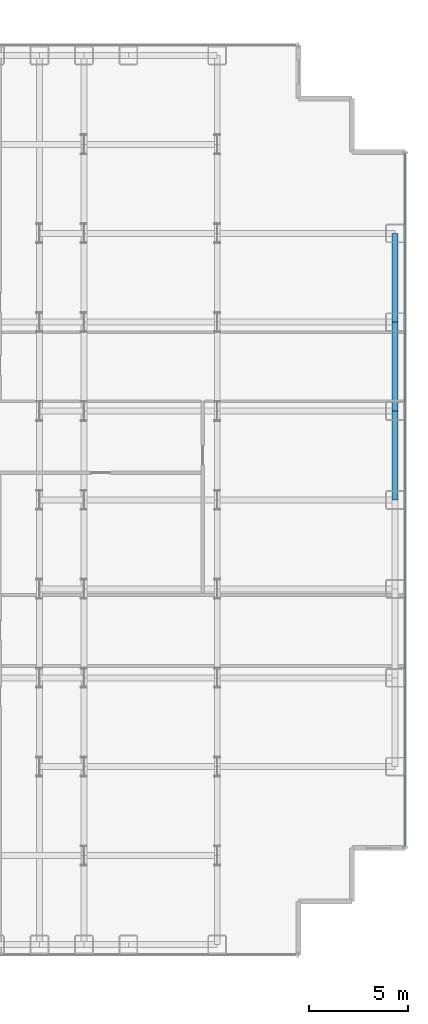
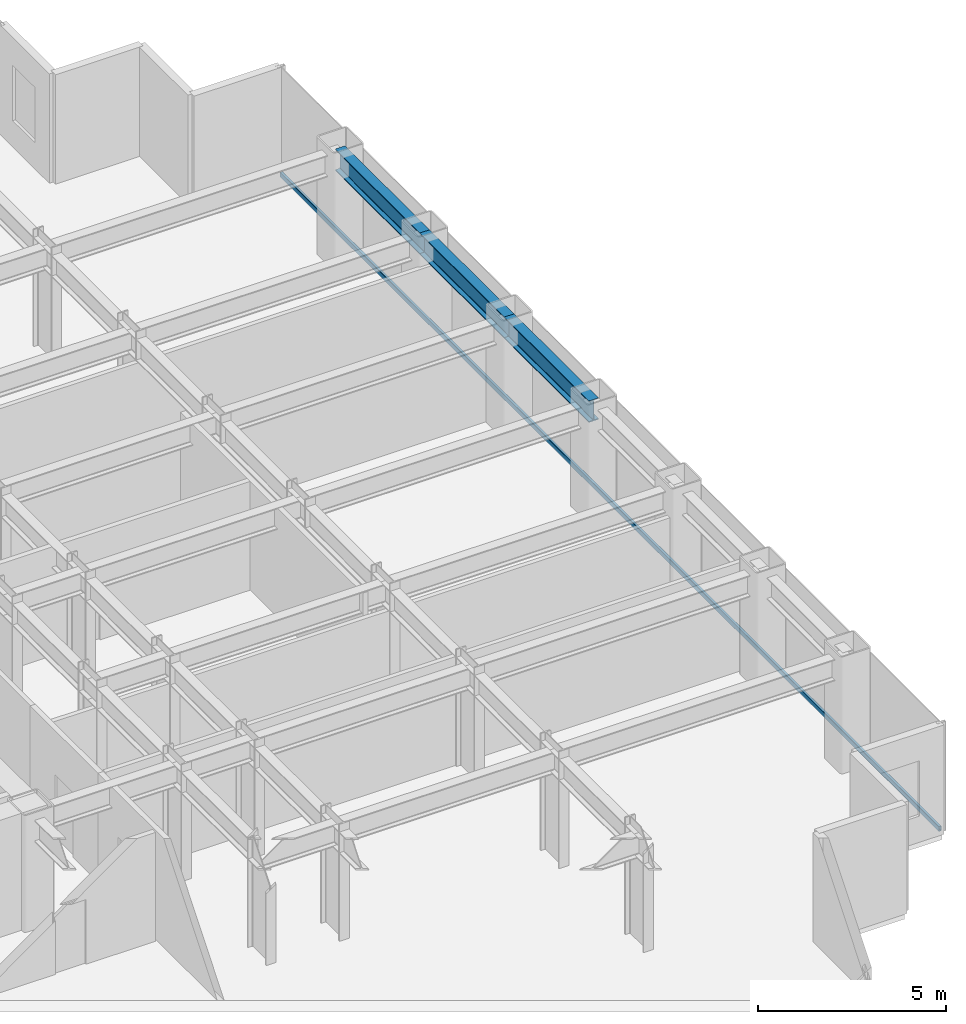
# One storey, part 17 of 26: 3 beams, 1 member, 1 element without a shape of its own.
"""IFC4 building model written with IfcOpenShell, lengths in metres."""

import ifcopenshell
import ifcopenshell.guid

model = None  # the IFC model being written
_history = None  # IfcOwnerHistory: only IFC2X3 demands one
_inside = {}  # id of a spatial element -> (the spatial element, [elements in it])
_under = {}  # id of a project, library or spatial element -> (it, [spatial elements below it])
_declared = {}  # id of a project -> (the project, [libraries it declares])
_typed = {}  # id of a type object -> (the type object, [elements of that type])
_made_of = {}  # id of a material, layer set ... -> (it, [elements and type objects made of it])


def new_model(schema):
    """Start an empty IFC model of exactly this schema.

    Asked for "IFC4X3", IfcOpenShell would pick the latest addendum, in which some entities
    have other attributes; the version numbers below select the first issue.
    IFC2X3 requires an IfcOwnerHistory on every rooted entity: one is made here for all.
    """
    global model, _history
    if schema == "IFC4X3":
        model = ifcopenshell.file(schema_version=(4, 3, 0, 0))
    else:
        model = ifcopenshell.file(schema=schema)
    _inside.clear()
    _under.clear()
    _declared.clear()
    _typed.clear()
    _made_of.clear()
    _history = None
    if model.schema == "IFC2X3":
        org = make("IfcOrganization", Name="unknown")
        user = make(
            "IfcPersonAndOrganization",
            ThePerson=make("IfcPerson", FamilyName="unknown"),
            TheOrganization=org,
        )
        app = make(
            "IfcApplication",
            ApplicationDeveloper=org,
            Version="unknown",
            ApplicationFullName="unknown",
            ApplicationIdentifier="unknown",
        )
        _history = make(
            "IfcOwnerHistory",
            OwningUser=user,
            OwningApplication=app,
            ChangeAction="ADDED",
            CreationDate=0,
        )
    return model


def make(cls, **values):
    """One entity of the class cls with the attributes given. An attribute that is None is left unset."""
    return model.create_entity(
        cls, **{name: value for name, value in values.items() if value is not None}
    )


def rooted(cls, **values):
    """An entity with a GlobalId (a new one), such as an element, a storey or a relation."""
    return make(cls, GlobalId=ifcopenshell.guid.new(), OwnerHistory=_history, **values)


def si_unit(unit_type, name, prefix=None):
    """IfcSIUnit, for example si_unit("LENGTHUNIT", "METRE", prefix="MILLI")."""
    return make("IfcSIUnit", UnitType=unit_type, Prefix=prefix, Name=name)


def assignment(units):
    """IfcUnitAssignment: the units of a project."""
    return None if units is None else make("IfcUnitAssignment", Units=units)


def point(xyz):
    """IfcCartesianPoint."""
    return None if xyz is None else make("IfcCartesianPoint", Coordinates=xyz)


def direction(xyz):
    """IfcDirection."""
    return None if xyz is None else make("IfcDirection", DirectionRatios=xyz)


def frame(location, z_axis=None, x_axis=None):
    """IfcAxis2Placement3D, a coordinate frame: its origin and axes. An axis left out is left unset."""
    return make(
        "IfcAxis2Placement3D",
        Location=point(location),
        Axis=direction(z_axis),
        RefDirection=direction(x_axis),
    )


def frame_2d(location, x_axis=None):
    """IfcAxis2Placement2D, a coordinate frame in the plane: its origin and x axis."""
    return make(
        "IfcAxis2Placement2D", Location=point(location), RefDirection=direction(x_axis)
    )


def origin():
    """The frame at (0, 0, 0) with its axes left unset."""
    return frame((0.0, 0.0, 0.0))


def origin_2d():
    """The frame at (0, 0) in the plane with its x axis left unset."""
    return frame_2d((0.0, 0.0))


def place(relative_to, where):
    """IfcLocalPlacement: puts the frame where relative to a parent placement (None: the world)."""
    return make(
        "IfcLocalPlacement", PlacementRelTo=relative_to, RelativePlacement=where
    )


def context(
    kind, dimensions, precision=None, world=None, true_north=None, identifier=None
):
    """IfcGeometricRepresentationContext, for example the 3D "Model" context."""
    return make(
        "IfcGeometricRepresentationContext",
        ContextIdentifier=identifier,
        ContextType=kind,
        CoordinateSpaceDimension=dimensions,
        Precision=precision,
        WorldCoordinateSystem=world,
        TrueNorth=true_north,
    )


def subcontext(parent, identifier, kind, view, scale=None):
    """IfcGeometricRepresentationSubContext, for example "Body" below "Model"."""
    return make(
        "IfcGeometricRepresentationSubContext",
        ContextIdentifier=identifier,
        ContextType=kind,
        ParentContext=parent,
        TargetScale=scale,
        TargetView=view,
    )


def project(units=None, contexts=None):
    """IfcProject with its units and contexts."""
    return rooted(
        "IfcProject",
        Name="project",
        RepresentationContexts=contexts,
        UnitsInContext=assignment(units),
    )


def spatial(cls, under=None, at=None, **own):
    """A site, building, storey or space (cls), placed at a placement, below another one or the project."""
    s = rooted(cls, ObjectPlacement=at, **own)
    if under is not None:
        _under.setdefault(under.id(), (under, []))[1].append(s)
    return s


def profile(cls, at=None, kind="AREA", **sizes):
    """A parametric profile (cls). Its sizes go by their IFC names, for example OverallWidth=200.0."""
    return make(cls, ProfileType=kind, Position=at, **sizes)


def hollow_rectangle(**sizes):
    """IfcRectangleHollowProfileDef."""
    return profile("IfcRectangleHollowProfileDef", **sizes)


def i_section(**sizes):
    """IfcIShapeProfileDef."""
    return profile("IfcIShapeProfileDef", **sizes)


def extrude(swept, where, along, depth):
    """IfcExtrudedAreaSolid: the profile swept, set in the frame where, extruded along a direction by depth."""
    return make(
        "IfcExtrudedAreaSolid",
        SweptArea=swept,
        Position=where,
        ExtrudedDirection=direction(along),
        Depth=depth,
    )


def shape(context_of_items, identifier, shape_type, items):
    """IfcShapeRepresentation: the items that make up one representation, for example the "Body"."""
    return make(
        "IfcShapeRepresentation",
        ContextOfItems=context_of_items,
        RepresentationIdentifier=identifier,
        RepresentationType=shape_type,
        Items=items,
    )


def source(mapping_origin, context_of_items, identifier, shape_type, items):
    """IfcRepresentationMap: a shape defined once, which mapped items show again and again."""
    return make(
        "IfcRepresentationMap",
        MappingOrigin=mapping_origin,
        MappedRepresentation=shape(context_of_items, identifier, shape_type, items),
    )


def transform(
    local_origin,
    x_axis=None,
    y_axis=None,
    z_axis=None,
    scale=None,
    scale2=None,
    scale3=None,
    uniform=True,
):
    """IfcCartesianTransformationOperator3D, or its non-uniform kind. x_axis, y_axis, z_axis: its Axis1, 2, 3."""
    if uniform:
        return make(
            "IfcCartesianTransformationOperator3D",
            Axis1=direction(x_axis),
            Axis2=direction(y_axis),
            LocalOrigin=point(local_origin),
            Scale=scale,
            Axis3=direction(z_axis),
        )
    return make(
        "IfcCartesianTransformationOperator3DnonUniform",
        Axis1=direction(x_axis),
        Axis2=direction(y_axis),
        LocalOrigin=point(local_origin),
        Scale=scale,
        Axis3=direction(z_axis),
        Scale2=scale2,
        Scale3=scale3,
    )


def mapped(mapping_source, mapping_target):
    """IfcMappedItem: shows the shape of a source again, moved by a transform."""
    return make(
        "IfcMappedItem", MappingSource=mapping_source, MappingTarget=mapping_target
    )


def material(Name=None, Category=None):
    """IfcMaterial."""
    return make("IfcMaterial", Name=Name, Category=Category)


def layer(
    of_material, thickness, ventilated=None, Name=None, Category=None, Priority=None
):
    """IfcMaterialLayer: one layer of a wall or slab, of a material (None: an air gap)."""
    return make(
        "IfcMaterialLayer",
        Material=of_material,
        LayerThickness=thickness,
        IsVentilated=ventilated,
        Name=Name,
        Category=Category,
        Priority=Priority,
    )


def layer_set(layers, Name=None):
    """IfcMaterialLayerSet."""
    return make("IfcMaterialLayerSet", MaterialLayers=layers, LayerSetName=Name)


def material_profile(
    of_material, cross_section, Name=None, Category=None, Priority=None
):
    """IfcMaterialProfile: a cross section and its material."""
    return make(
        "IfcMaterialProfile",
        Name=Name,
        Material=of_material,
        Profile=cross_section,
        Priority=Priority,
        Category=Category,
    )


def profile_set(profiles, Name=None, composite=None):
    """IfcMaterialProfileSet."""
    return make(
        "IfcMaterialProfileSet",
        Name=Name,
        MaterialProfiles=profiles,
        CompositeProfile=composite,
    )


def made_of(thing, what):
    """Note that an element or type object is made of a material, layer set ...; save() writes the relation."""
    if what is not None:
        _made_of.setdefault(what.id(), (what, []))[1].append(thing)
    return thing


def type_object(cls, material=None, **own):
    """A type object (cls), such as IfcWallType, which elements share."""
    return made_of(rooted(cls, **own), material)


def element(
    cls,
    number,
    at=None,
    inside=None,
    cuts=None,
    type_object=None,
    material=None,
    context=None,
    identifier="Body",
    shape_type=None,
    held_by="IfcProductDefinitionShape",
    body=None,
    shapes=None,
    **own,
):
    """One element of the class cls, such as IfcWall. Its Tag is "e" and its number.

    at: its placement. inside: the storey or other place that contains it. cuts: it is an
    opening in that element (IfcRelVoidsElement). A single representation is given by context,
    identifier, shape_type and body (its items); several are given by shapes. held_by: the class
    of the entity that holds the representations. save() writes the other relations.
    """
    e = rooted(cls, Tag="e%d" % number, ObjectPlacement=at, **own)
    if body is not None:
        shapes = [shape(context, identifier, shape_type, body)]
    if shapes is not None:
        e.Representation = make(held_by, Representations=shapes)
    if inside is not None:
        _inside.setdefault(inside.id(), (inside, []))[1].append(e)
    if cuts is not None:
        rooted(
            "IfcRelVoidsElement", RelatingBuildingElement=cuts, RelatedOpeningElement=e
        )
    if type_object is not None:
        _typed.setdefault(type_object.id(), (type_object, []))[1].append(e)
    return made_of(e, material)


def aggregate(whole, parts):
    """IfcRelAggregates: a whole, such as a stair, and the parts it consists of."""
    return rooted("IfcRelAggregates", RelatingObject=whole, RelatedObjects=parts)


def save(model, path):
    """Write the relations noted so far, then the file.

    IfcRelAggregates (storeys below a building ...), IfcRelContainedInSpatialStructure (elements
    in a storey), IfcRelDefinesByType, IfcRelAssociatesMaterial and IfcRelDeclares: one each for
    every whole, place, type object, material and project.
    """
    for whole, parts in _under.values():
        aggregate(whole, parts)
    for where, things in _inside.values():
        rooted(
            "IfcRelContainedInSpatialStructure",
            RelatedElements=things,
            RelatingStructure=where,
        )
    for kind, things in _typed.values():
        rooted("IfcRelDefinesByType", RelatedObjects=things, RelatingType=kind)
    for what, things in _made_of.values():
        rooted("IfcRelAssociatesMaterial", RelatedObjects=things, RelatingMaterial=what)
    for by, libraries in _declared.values():
        rooted("IfcRelDeclares", RelatingContext=by, RelatedDefinitions=libraries)
    model.write(path)


model = new_model("IFC4")

# Units and contexts
model_context = context("Model", 3, precision=1e-05, world=origin(), true_north=direction((0.0, 1.0)))
body_context = subcontext(model_context, "Body", "Model", "MODEL_VIEW")
ifc_project = project(units=[si_unit("LENGTHUNIT", "METRE"), si_unit("AREAUNIT", "SQUARE_METRE"), si_unit("VOLUMEUNIT", "CUBIC_METRE"), si_unit("PLANEANGLEUNIT", "RADIAN"), si_unit("MASSUNIT", "GRAM", prefix="KILO")], contexts=[model_context])

# Site, building, storey
site_placement = place(None, origin())
site = spatial("IfcSite", under=ifc_project, at=site_placement, CompositionType="ELEMENT")
building_placement = place(site_placement, origin())
building = spatial("IfcBuilding", under=site, at=building_placement, Name="Nefas-Gora Pilgrimage Tower", CompositionType="ELEMENT")
storey_placement = place(building_placement, frame((0.0, 0.0, 36.800048828125)))
storey = spatial("IfcBuildingStorey", under=building, at=storey_placement, Name="L07", CompositionType="ELEMENT", Elevation=36.800048828125)

# Beams
ifc_material_1 = material(Name="Steel S355", Category="steel")
ifc_material_profile_1 = material_profile(ifc_material_1, i_section(OverallWidth=0.300048828125, OverallDepth=0.699951171875, WebThickness=0.01708984375, FlangeThickness=0.031982421875, FilletRadius=0.027099609375, at=origin_2d()), Name="HEB 700")
ifc_profile_set_1 = profile_set([ifc_material_profile_1], Name="Steel S355")
beam_type = type_object("IfcBeamType", Name="BM-SPN-HEB600", PredefinedType="SPANDREL", material=ifc_profile_set_1)
shared_shape_1 = source(origin(), body_context, "Body", "SweptSolid", [
    extrude(i_section(OverallWidth=0.300048828125, OverallDepth=0.699951171875, WebThickness=0.01708984375, FlangeThickness=0.031982421875, FilletRadius=0.027099609375, at=origin_2d()), origin(), (0.0, 0.0, 1.0), 4.5),
])
for number, where, z_axis, x_axis, name in (
    (1, (33.75, 0.0, 3.199951171875), (0.0, 1.0, 0.0), (-1.0, 0.0, 0.0), "L07 SP-01 beam"),
    (2, (33.75, 4.5, 3.199951171875), (0.0, 1.0, 0.0), (-1.0, 0.0, 0.0), "L07 SP-01 beam"),
    (3, (33.75, 9.0, 3.199951171875), (0.0, 1.0, 0.0), (-1.0, 0.0, 0.0), "L07 SP-01 beam"),
):
    element("IfcBeam", number, at=place(storey_placement, frame(where, z_axis=z_axis, x_axis=x_axis)), inside=storey, type_object=beam_type, Name=name, PredefinedType="SPANDREL", context=body_context, shape_type="MappedRepresentation", body=[
        mapped(shared_shape_1, transform((0.0, 0.0, 0.0), x_axis=(1.0, 0.0, 0.0), y_axis=(0.0, 1.0, 0.0), z_axis=(0.0, 0.0, 1.0), scale=1.0)),
    ])

# Curtain wall, member
ifc_material_2 = material(Name="Dark ceramic-fritted solar-control aluminium-glass curtain wall", Category="aluminium")
ifc_layer = layer(ifc_material_2, 0.219970703125)
ifc_layer_set = layer_set([ifc_layer], Name="Dark ceramic-fritted solar-control aluminium-glass curtain wall")
curtain_wall_type = type_object("IfcCurtainWallType", Name="CW-SYS-2", PredefinedType="NOTDEFINED", material=ifc_layer_set)
curtain_wall_placement = place(storey_placement, origin())
curtain_wall = element("IfcCurtainWall", 4, at=curtain_wall_placement, inside=storey, type_object=curtain_wall_type, Name="L07 Unitised Curtain Wall CW2", PredefinedType="NOTDEFINED")
ifc_material_3 = material(Name="Anodised architectural aluminium", Category="aluminium")
ifc_material_profile_2 = material_profile(ifc_material_3, hollow_rectangle(XDim=0.080078125, YDim=0.159912109375, WallThickness=0.00439453125, InnerFilletRadius=0.00439453125, OuterFilletRadius=0.009033203125, at=origin_2d()), Name="ALU TRANSOM 80x160")
ifc_profile_set_2 = profile_set([ifc_material_profile_2], Name="Anodised architectural aluminium")
member_type = type_object("IfcMemberType", Name="CWM-TRN-2", PredefinedType="USERDEFINED", material=ifc_profile_set_2)
shared_shape_2 = source(origin(), body_context, "Body", "SweptSolid", [
    extrude(hollow_rectangle(XDim=0.080078125, YDim=0.159912109375, WallThickness=0.00439453125, InnerFilletRadius=0.00439453125, OuterFilletRadius=0.009033203125, at=origin_2d()), origin(), (0.0, 0.0, 1.0), 35.06005859375),
])
member_placement = place(storey_placement, frame((34.27001953125, -17.530029296875, 0.050048828125), z_axis=(0.0, 1.0, 0.0), x_axis=(-1.0, 0.0, 0.0)))
member = element("IfcMember", 5, at=member_placement, type_object=member_type, Name="CW2 Spandrel Transom", ObjectType="TRANSOM", PredefinedType="USERDEFINED", context=body_context, shape_type="MappedRepresentation", body=[
    mapped(shared_shape_2, transform((0.0, 0.0, 0.0), x_axis=(1.0, 0.0, 0.0), y_axis=(0.0, 1.0, 0.0), z_axis=(0.0, 0.0, 1.0), scale=1.0)),
])
aggregate(curtain_wall, [member])

save(model, "model.ifc")
